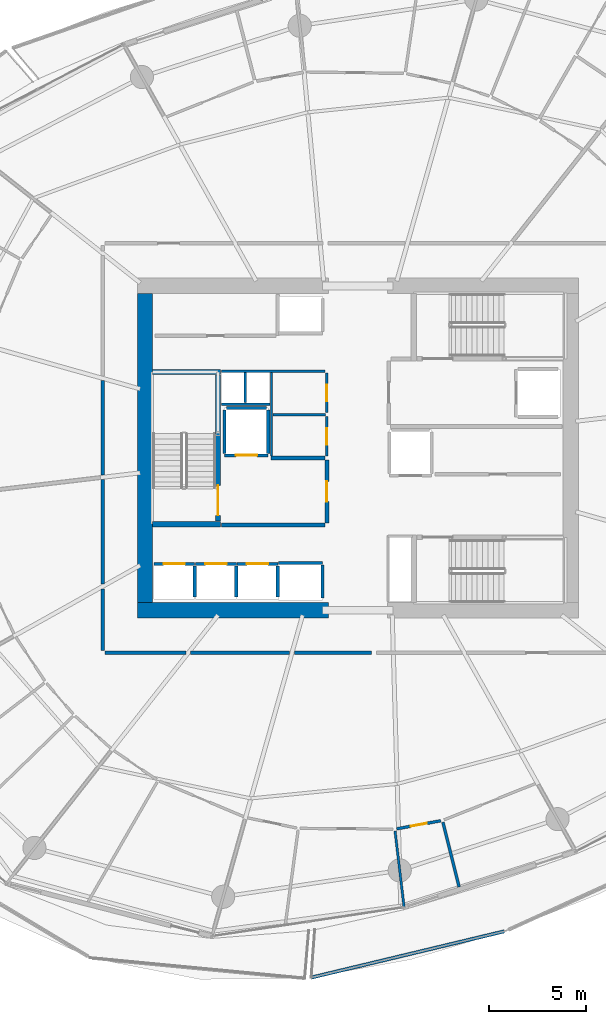
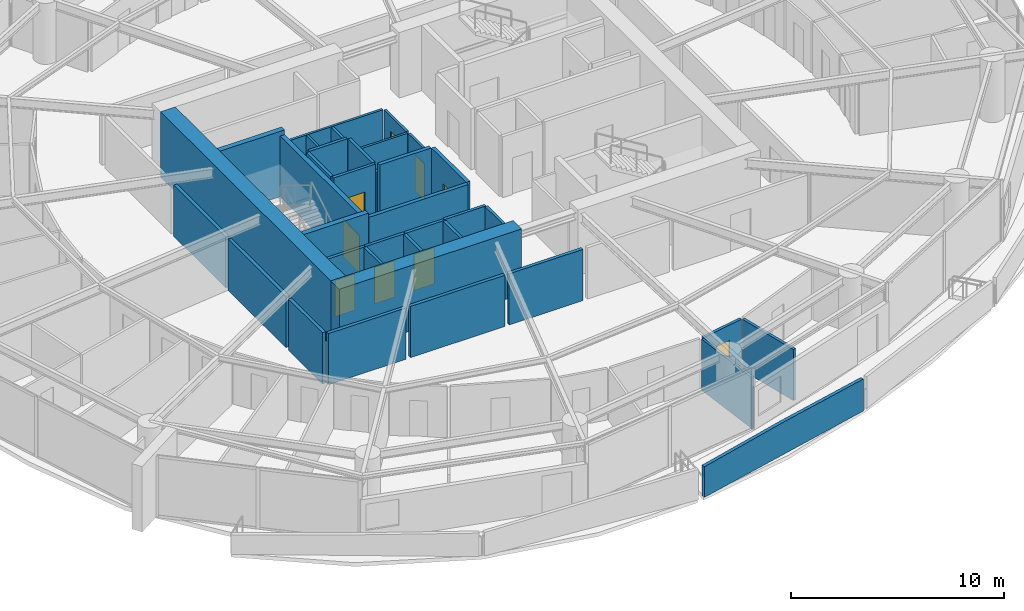
# One storey, part 12 of 23: 37 walls, 9 doors, 9 openings.
"""IFC4 building model written with IfcOpenShell, lengths in metres."""

from ifc_helpers import new_model, si_unit, direction, frame, frame_2d, origin, place, context, subcontext, project, spatial, polyline, rectangle, outline, extrude, material, layer, layer_set, type_object, element, fill, save


model = new_model("IFC4")

# Units and contexts
model_context = context("Model", 3, precision=1e-05, world=origin(), true_north=direction((0.0, 1.0)))
body_context = subcontext(model_context, "Body", "Model", "MODEL_VIEW")
ifc_project = project(units=[si_unit("LENGTHUNIT", "METRE"), si_unit("AREAUNIT", "SQUARE_METRE"), si_unit("VOLUMEUNIT", "CUBIC_METRE"), si_unit("PLANEANGLEUNIT", "RADIAN"), si_unit("MASSUNIT", "GRAM", prefix="KILO")], contexts=[model_context])

# Site, building, storey
site_placement = place(None, origin())
site = spatial("IfcSite", under=ifc_project, at=site_placement, CompositionType="ELEMENT")
building_placement = place(site_placement, origin())
building = spatial("IfcBuilding", under=site, at=building_placement, Name="Kazma Halo Residences", CompositionType="ELEMENT")
storey_placement = place(building_placement, frame((0.0, 0.0, 105.14990234375)))
storey = spatial("IfcBuildingStorey", under=building, at=storey_placement, Name="L26", CompositionType="ELEMENT", Elevation=105.14990234375)

# Walls
ifc_material_1 = material(Name="White Concrete C50/60 Balustrade", Category="concrete")
ifc_layer_1 = layer(ifc_material_1, 0.179931640625)
ifc_layer_set_1 = layer_set([ifc_layer_1], Name="White Concrete C50/60 Balustrade")
wall_type_1 = type_object("IfcWallType", Name="WL-BAL-WAVE-180", PredefinedType="PARAPET", material=ifc_layer_set_1)
wall_1_placement = place(storey_placement, frame((46.010498046875, 14.581298828125, 0.0), z_axis=(0.0, 0.0, 1.0), x_axis=(0.972484896486, 0.232965933359, 0.0)))
element("IfcWall", 1, at=wall_1_placement, inside=storey, type_object=wall_type_1, Name="L26 white wave balustrade wall SSE.1", PredefinedType="PARAPET", context=body_context, shape_type="SweptSolid", body=[
    extrude(outline(polyline([(0.0, 0.0), (10.27734375, 0.0), (10.27734375, 1.83203125), (5.138671875, 1.85302734375), (0.0, 1.756103515625), (0.0, 0.0)])), frame((0.0, 0.08984375, 0.0), z_axis=(0.0, -1.0, 0.0), x_axis=(1.0, 0.0, 0.0)), (0.0, 0.0, 1.0), 0.179931640625),
])
ifc_material_2 = material(Name="Concrete C80/95", Category="concrete")
ifc_layer_2 = layer(ifc_material_2, 0.800048828125)
ifc_layer_set_2 = layer_set([ifc_layer_2], Name="Concrete C80/95")
wall_type_2 = type_object("IfcWallType", Name="WL-CORE-800", PredefinedType="SHEAR", material=ifc_layer_set_2)
wall_2_placement = place(storey_placement, frame((37.0, 33.60009765625, 0.0), z_axis=(0.0, 0.0, 1.0), x_axis=(1.0, 0.0, 0.0)))
element("IfcWall", 2, at=wall_2_placement, inside=storey, type_object=wall_type_2, Name="L26 central core shear wall SW", PredefinedType="SHEAR", context=body_context, shape_type="SweptSolid", body=[
    extrude(rectangle(XDim=9.89990234375, YDim=0.800048828125, at=frame_2d((4.949951171875, 0.0))), origin(), (0.0, 0.0, 1.0), 3.75),
])
wall_3_placement = place(storey_placement, frame((37.39990234375, 34.0, 0.0), z_axis=(0.0, 0.0, 1.0), x_axis=(0.0, 1.0, 0.0)))
element("IfcWall", 3, at=wall_3_placement, inside=storey, type_object=wall_type_2, Name="L26 central core shear wall W", PredefinedType="SHEAR", context=body_context, shape_type="SweptSolid", body=[
    extrude(rectangle(XDim=16.0, YDim=0.800048828125, at=frame_2d((8.0, 0.0))), origin(), (0.0, 0.0, 1.0), 3.75),
])
ifc_material_3 = material(Name="Concrete C60/75", Category="concrete")
ifc_layer_3 = layer(ifc_material_3, 0.280029296875)
ifc_layer_set_3 = layer_set([ifc_layer_3], Name="Concrete C60/75")
wall_type_3 = type_object("IfcWallType", Name="WL-CORE-ST-280", PredefinedType="SHEAR", material=ifc_layer_set_3)
for number, where, z_axis, x_axis, name in (
    (4, (37.800048828125, 38.06005859375, 0.0), (0.0, 0.0, 1.0), (1.0, 0.0, 0.0), "L26 stairwell bearing wall ST01-S"),
    (5, (37.800048828125, 45.93994140625, 0.0), (0.0, 0.0, 1.0), (1.0, 0.0, 0.0), "L26 stairwell bearing wall ST01-N"),
):
    element("IfcWall", number, at=place(storey_placement, frame(where, z_axis=z_axis, x_axis=x_axis)), inside=storey, type_object=wall_type_3, Name=name, PredefinedType="SHEAR", context=body_context, shape_type="SweptSolid", body=[
        extrude(rectangle(XDim=3.5, YDim=0.280029296875, at=frame_2d((1.75, 0.0))), origin(), (0.0, 0.0, 1.0), 3.75),
    ])
ifc_material_4 = material(Name="Acoustic Twin-Stud Gypsum")
ifc_layer_4 = layer(ifc_material_4, 0.179931640625)
ifc_layer_set_4 = layer_set([ifc_layer_4], Name="Acoustic Twin-Stud Gypsum")
wall_type_4 = type_object("IfcWallType", Name="WL-DEM-180", PredefinedType="PARTITIONING", material=ifc_layer_set_4)
wall_4_placement = place(storey_placement, frame((35.199951171875, 45.489990234375, 0.0), z_axis=(0.0, 0.0, 1.0), x_axis=(0.0, -1.0, 0.0)))
element("IfcWall", 6, at=wall_4_placement, inside=storey, type_object=wall_type_4, Name="L26 Apartment 1 inner wall 6", PredefinedType="PARTITIONING", context=body_context, shape_type="SweptSolid", body=[
    extrude(rectangle(XDim=4.885009765625, YDim=0.179931640625, at=frame_2d((2.4423828125, 0.0))), origin(), (0.0, 0.0, 1.0), 2.940185546875),
])
wall_5_placement = place(storey_placement, frame((35.199951171875, 40.364990234375, 0.0), z_axis=(0.0, 0.0, 1.0), x_axis=(0.0, -1.0, 0.0)))
element("IfcWall", 7, at=wall_5_placement, inside=storey, type_object=wall_type_4, Name="L26 Apartment 2 inner wall 7", PredefinedType="PARTITIONING", context=body_context, shape_type="SweptSolid", body=[
    extrude(rectangle(XDim=5.413330078125, YDim=0.179931640625, at=frame_2d((2.70654296875, 0.0))), origin(), (0.0, 0.0, 1.0), 2.940185546875),
])
wall_6_placement = place(storey_placement, frame((35.199951171875, 34.711669921875, 0.0), z_axis=(0.0, 0.0, 1.0), x_axis=(0.0, -1.0, 0.0)))
element("IfcWall", 8, at=wall_6_placement, inside=storey, type_object=wall_type_4, Name="L26 Apartment 2 inner wall 8", PredefinedType="PARTITIONING", context=body_context, shape_type="SweptSolid", body=[
    extrude(rectangle(XDim=3.191650390625, YDim=0.179931640625, at=frame_2d((1.595703125, 0.0))), origin(), (0.0, 0.0, 1.0), 2.940185546875),
])
wall_7_placement = place(storey_placement, frame((35.320068359375, 31.39990234375, 0.0), z_axis=(0.0, 0.0, 1.0), x_axis=(1.0, 0.0, 0.0)))
element("IfcWall", 9, at=wall_7_placement, inside=storey, type_object=wall_type_4, Name="L26 Apartment 2 inner wall 8", PredefinedType="PARTITIONING", context=body_context, shape_type="SweptSolid", body=[
    extrude(rectangle(XDim=4.20361328125, YDim=0.179931640625, at=frame_2d((2.101806640625, 0.0))), origin(), (0.0, 0.0, 1.0), 2.940185546875),
])
wall_8_placement = place(storey_placement, frame((39.763671875, 31.39990234375, 0.0), z_axis=(0.0, 0.0, 1.0), x_axis=(1.0, 0.0, 0.0)))
element("IfcWall", 10, at=wall_8_placement, inside=storey, type_object=wall_type_4, Name="L26 Apartment 2 inner wall 9", PredefinedType="PARTITIONING", context=body_context, shape_type="SweptSolid", body=[
    extrude(rectangle(XDim=5.126708984375, YDim=0.179931640625, at=frame_2d((2.5634765625, 0.0))), origin(), (0.0, 0.0, 1.0), 2.940185546875),
])
wall_9_placement = place(storey_placement, frame((45.130615234375, 31.39990234375, 0.0), z_axis=(0.0, 0.0, 1.0), x_axis=(1.0, 0.0, 0.0)))
element("IfcWall", 11, at=wall_9_placement, inside=storey, type_object=wall_type_4, Name="L26 Apartment 2 inner wall 10", PredefinedType="PARTITIONING", context=body_context, shape_type="SweptSolid", body=[
    extrude(rectangle(XDim=4.00390625, YDim=0.179931640625, at=frame_2d((2.001953125, 0.0))), origin(), (0.0, 0.0, 1.0), 2.940185546875),
])

# Wall, opening, door
ifc_material_5 = material(Name="Fire-Rated Blockwork Masonry", Category="masonry")
ifc_layer_5 = layer(ifc_material_5, 0.199951171875)
ifc_layer_set_5 = layer_set([ifc_layer_5], Name="Fire-Rated Blockwork Masonry")
wall_type_5 = type_object("IfcWallType", Name="WL-FLB-200", PredefinedType="PARTITIONING", material=ifc_layer_set_5)
wall_10_placement = place(storey_placement, frame((37.864990234375, 36.0048828125, 0.0), z_axis=(0.0, 0.0, 1.0), x_axis=(1.0, 0.0, 0.0)))
wall_10 = element("IfcWall", 12, at=wall_10_placement, inside=storey, type_object=wall_type_5, Name="L26 lift shaft PL-01 front wall", PredefinedType="PARTITIONING", context=body_context, shape_type="SweptSolid", body=[
    extrude(rectangle(XDim=2.110107421875, YDim=0.159912109375, at=frame_2d((1.05517578125, 0.0))), origin(), (0.0, 0.0, 1.0), 3.5),
])
opening_1_placement = place(wall_10_placement, frame((0.5048828125, 0.0, 0.0)))
opening_1 = element("IfcOpeningElement", 13, at=opening_1_placement, cuts=wall_10, Name="Opening LD-PL-01", PredefinedType="OPENING", context=body_context, shape_type="SweptSolid", body=[
    extrude(rectangle(XDim=1.10009765625, YDim=2.10009765625, at=frame_2d((0.550048828125, 1.050048828125))), frame((0.0, 0.08984375, 0.0), z_axis=(0.0, -1.0, 0.0), x_axis=(1.0, 0.0, 0.0)), (0.0, 0.0, 1.0), 0.179931640625),
])
ifc_material_6 = material(Name="Stainless Steel Fire-Rated", Category="steel")
door_type_1 = type_object("IfcDoorType", Name="DR-LIFT-SLD-1100", OperationType="DOUBLE_DOOR_SLIDING", PredefinedType="DOOR", material=ifc_material_6)
door_1_placement = place(opening_1_placement, origin())
door_1 = element("IfcDoor", 14, at=door_1_placement, inside=storey, type_object=door_type_1, Name="L26 lift PL-01 sliding landing door", OperationType="DOUBLE_DOOR_SLIDING", OverallHeight=2.10009765625, OverallWidth=1.10009765625, PredefinedType="DOOR", context=body_context, shape_type="SweptSolid", body=[
    extrude(rectangle(XDim=1.10009765625, YDim=2.10009765625, at=frame_2d((0.550048828125, 1.050048828125))), frame((0.0, 0.02490234375, 0.0), z_axis=(0.0, -1.0, 0.0), x_axis=(1.0, 0.0, 0.0)), (0.0, 0.0, 1.0), 0.050048828125),
])
fill(opening_1, door_1)

# Wall
wall_11_placement = place(storey_placement, frame((39.97509765625, 34.294921875, 0.0), z_axis=(0.0, 0.0, 1.0), x_axis=(0.0, 1.0, 0.0)))
element("IfcWall", 15, at=wall_11_placement, inside=storey, type_object=wall_type_5, Name="L26 lift shaft PL-01 side wall E", PredefinedType="PARTITIONING", context=body_context, shape_type="SweptSolid", body=[
    extrude(rectangle(XDim=1.610107421875, YDim=0.159912109375, at=frame_2d((0.80517578125, 0.0))), origin(), (0.0, 0.0, 1.0), 3.5),
])

# Wall, opening, door
wall_12_placement = place(storey_placement, frame((40.014892578125, 36.0048828125, 0.0), z_axis=(0.0, 0.0, 1.0), x_axis=(1.0, 0.0, 0.0)))
wall_12 = element("IfcWall", 16, at=wall_12_placement, inside=storey, type_object=wall_type_5, Name="L26 lift shaft PL-02 front wall", PredefinedType="PARTITIONING", context=body_context, shape_type="SweptSolid", body=[
    extrude(rectangle(XDim=2.110107421875, YDim=0.159912109375, at=frame_2d((1.05517578125, 0.0))), origin(), (0.0, 0.0, 1.0), 3.5),
])
opening_2_placement = place(wall_12_placement, frame((0.5048828125, 0.0, 0.0)))
opening_2 = element("IfcOpeningElement", 17, at=opening_2_placement, cuts=wall_12, Name="Opening LD-PL-02", PredefinedType="OPENING", context=body_context, shape_type="SweptSolid", body=[
    extrude(rectangle(XDim=1.10009765625, YDim=2.10009765625, at=frame_2d((0.550048828125, 1.050048828125))), frame((0.0, 0.08984375, 0.0), z_axis=(0.0, -1.0, 0.0), x_axis=(1.0, 0.0, 0.0)), (0.0, 0.0, 1.0), 0.179931640625),
])
door_2_placement = place(opening_2_placement, origin())
door_2 = element("IfcDoor", 18, at=door_2_placement, inside=storey, type_object=door_type_1, Name="L26 lift PL-02 sliding landing door", OperationType="DOUBLE_DOOR_SLIDING", OverallHeight=2.10009765625, OverallWidth=1.10009765625, PredefinedType="DOOR", context=body_context, shape_type="SweptSolid", body=[
    extrude(rectangle(XDim=1.10009765625, YDim=2.10009765625, at=frame_2d((0.550048828125, 1.050048828125))), frame((0.0, 0.02490234375, 0.0), z_axis=(0.0, -1.0, 0.0), x_axis=(1.0, 0.0, 0.0)), (0.0, 0.0, 1.0), 0.050048828125),
])
fill(opening_2, door_2)

# Wall
wall_13_placement = place(storey_placement, frame((42.125, 34.294921875, 0.0), z_axis=(0.0, 0.0, 1.0), x_axis=(0.0, 1.0, 0.0)))
element("IfcWall", 19, at=wall_13_placement, inside=storey, type_object=wall_type_5, Name="L26 lift shaft PL-02 side wall E", PredefinedType="PARTITIONING", context=body_context, shape_type="SweptSolid", body=[
    extrude(rectangle(XDim=1.610107421875, YDim=0.159912109375, at=frame_2d((0.80517578125, 0.0))), origin(), (0.0, 0.0, 1.0), 3.5),
])

# Wall, opening, door
wall_14_placement = place(storey_placement, frame((42.1650390625, 36.0048828125, 0.0), z_axis=(0.0, 0.0, 1.0), x_axis=(1.0, 0.0, 0.0)))
wall_14 = element("IfcWall", 20, at=wall_14_placement, inside=storey, type_object=wall_type_5, Name="L26 lift shaft PL-03 front wall", PredefinedType="PARTITIONING", context=body_context, shape_type="SweptSolid", body=[
    extrude(rectangle(XDim=2.10986328125, YDim=0.159912109375, at=frame_2d((1.054931640625, 0.0))), origin(), (0.0, 0.0, 1.0), 3.5),
])
opening_3_placement = place(wall_14_placement, frame((0.5048828125, 0.0, 0.0)))
opening_3 = element("IfcOpeningElement", 21, at=opening_3_placement, cuts=wall_14, Name="Opening LD-PL-03", PredefinedType="OPENING", context=body_context, shape_type="SweptSolid", body=[
    extrude(rectangle(XDim=1.10009765625, YDim=2.10009765625, at=frame_2d((0.550048828125, 1.050048828125))), frame((0.0, 0.08984375, 0.0), z_axis=(0.0, -1.0, 0.0), x_axis=(1.0, 0.0, 0.0)), (0.0, 0.0, 1.0), 0.179931640625),
])
door_3_placement = place(opening_3_placement, origin())
door_3 = element("IfcDoor", 22, at=door_3_placement, inside=storey, type_object=door_type_1, Name="L26 lift PL-03 sliding landing door", OperationType="DOUBLE_DOOR_SLIDING", OverallHeight=2.10009765625, OverallWidth=1.10009765625, PredefinedType="DOOR", context=body_context, shape_type="SweptSolid", body=[
    extrude(rectangle(XDim=1.10009765625, YDim=2.10009765625, at=frame_2d((0.550048828125, 1.050048828125))), frame((0.0, 0.02490234375, 0.0), z_axis=(0.0, -1.0, 0.0), x_axis=(1.0, 0.0, 0.0)), (0.0, 0.0, 1.0), 0.050048828125),
])
fill(opening_3, door_3)

# Walls
wall_15_placement = place(storey_placement, frame((44.27490234375, 34.294921875, 0.0), z_axis=(0.0, 0.0, 1.0), x_axis=(0.0, 1.0, 0.0)))
element("IfcWall", 23, at=wall_15_placement, inside=storey, type_object=wall_type_5, Name="L26 lift shaft PL-03 side wall E", PredefinedType="PARTITIONING", context=body_context, shape_type="SweptSolid", body=[
    extrude(rectangle(XDim=1.610107421875, YDim=0.159912109375, at=frame_2d((0.80517578125, 0.0))), origin(), (0.0, 0.0, 1.0), 3.5),
])
wall_16_placement = place(storey_placement, frame((44.320068359375, 36.054931640625, 0.0), z_axis=(0.0, 0.0, 1.0), x_axis=(1.0, 0.0, 0.0)))
element("IfcWall", 24, at=wall_16_placement, inside=storey, type_object=wall_type_5, Name="L26 lift shaft PX-02 front wall", PredefinedType="PARTITIONING", context=body_context, shape_type="SweptSolid", body=[
    extrude(rectangle(XDim=2.260009765625, YDim=0.159912109375, at=frame_2d((1.1298828125, 0.0))), origin(), (0.0, 0.0, 1.0), 3.5),
])
wall_17_placement = place(storey_placement, frame((46.580078125, 34.2451171875, 0.0), z_axis=(0.0, 0.0, 1.0), x_axis=(0.0, 1.0, 0.0)))
element("IfcWall", 25, at=wall_17_placement, inside=storey, type_object=wall_type_5, Name="L26 lift shaft PX-02 side wall E", PredefinedType="PARTITIONING", context=body_context, shape_type="SweptSolid", body=[
    extrude(rectangle(XDim=1.7099609375, YDim=0.159912109375, at=frame_2d((0.85498046875, 0.0))), origin(), (0.0, 0.0, 1.0), 3.5),
])

# Wall, opening, door
wall_18_placement = place(storey_placement, frame((43.780029296875, 41.6201171875, 0.0), z_axis=(0.0, 0.0, 1.0), x_axis=(-1.0, 0.0, 0.0)))
wall_18 = element("IfcWall", 26, at=wall_18_placement, inside=storey, type_object=wall_type_5, Name="L26 lift shaft FL-01 front wall", PredefinedType="PARTITIONING", context=body_context, shape_type="SweptSolid", body=[
    extrude(rectangle(XDim=2.260009765625, YDim=0.159912109375, at=frame_2d((1.1298828125, 0.0))), origin(), (0.0, 0.0, 1.0), 3.5),
])
opening_4_placement = place(wall_18_placement, frame((0.580078125, 0.0, 0.0)))
opening_4 = element("IfcOpeningElement", 27, at=opening_4_placement, cuts=wall_18, Name="Opening LD-FL-01", PredefinedType="OPENING", context=body_context, shape_type="SweptSolid", body=[
    extrude(rectangle(XDim=1.10009765625, YDim=2.10009765625, at=frame_2d((0.550048828125, 1.050048828125))), frame((0.0, 0.08984375, 0.0), z_axis=(0.0, -1.0, 0.0), x_axis=(1.0, 0.0, 0.0)), (0.0, 0.0, 1.0), 0.179931640625),
])
door_4_placement = place(opening_4_placement, origin())
door_4 = element("IfcDoor", 28, at=door_4_placement, inside=storey, type_object=door_type_1, Name="L26 lift FL-01 sliding landing door", OperationType="DOUBLE_DOOR_SLIDING", OverallHeight=2.10009765625, OverallWidth=1.10009765625, PredefinedType="DOOR", context=body_context, shape_type="SweptSolid", body=[
    extrude(rectangle(XDim=1.10009765625, YDim=2.10009765625, at=frame_2d((0.550048828125, 1.050048828125))), frame((0.0, 0.02490234375, 0.0), z_axis=(0.0, -1.0, 0.0), x_axis=(1.0, 0.0, 0.0)), (0.0, 0.0, 1.0), 0.050048828125),
])
fill(opening_4, door_4)

# Walls
for number, where, z_axis, x_axis, name in (
    (29, (43.780029296875, 41.719970703125, 0.0), (0.0, 0.0, 1.0), (0.0, 1.0, 0.0), "L26 lift shaft FL-01 side wall E"),
    (30, (41.52001953125, 41.719970703125, 0.0), (0.0, 0.0, 1.0), (0.0, 1.0, 0.0), "L26 lift shaft FL-01 side wall W"),
):
    element("IfcWall", number, at=place(storey_placement, frame(where, z_axis=z_axis, x_axis=x_axis)), inside=storey, type_object=wall_type_5, Name=name, PredefinedType="PARTITIONING", context=body_context, shape_type="SweptSolid", body=[
        extrude(rectangle(XDim=2.260009765625, YDim=0.159912109375, at=frame_2d((1.1298828125, 0.0))), origin(), (0.0, 0.0, 1.0), 3.5),
    ])
wall_19_placement = place(storey_placement, frame((41.6201171875, 44.080078125, 0.0), z_axis=(0.0, 0.0, 1.0), x_axis=(1.0, 0.0, 0.0)))
element("IfcWall", 31, at=wall_19_placement, inside=storey, type_object=wall_type_5, Name="L26 lift shaft FL-01 side wall N", PredefinedType="PARTITIONING", context=body_context, shape_type="SweptSolid", body=[
    extrude(rectangle(XDim=2.059814453125, YDim=0.159912109375, at=frame_2d((1.02978515625, 0.0))), origin(), (0.0, 0.0, 1.0), 3.5),
])
wall_20_placement = place(storey_placement, frame((41.35009765625, 38.02001953125, 0.0), z_axis=(0.0, 0.0, 1.0), x_axis=(1.0, 0.0, 0.0)))
element("IfcWall", 32, at=wall_20_placement, inside=storey, type_object=wall_type_5, Name="L26 west firefighting lobby south smoke wall", PredefinedType="PARTITIONING", context=body_context, shape_type="SweptSolid", body=[
    extrude(rectangle(XDim=5.369873046875, YDim=0.199951171875, at=frame_2d((2.68505859375, 0.0))), origin(), (0.0, 0.0, 1.0), 3.5),
])
wall_21_placement = place(storey_placement, frame((43.919921875, 41.47998046875, 0.0), z_axis=(0.0, 0.0, 1.0), x_axis=(1.0, 0.0, 0.0)))
element("IfcWall", 33, at=wall_21_placement, inside=storey, type_object=wall_type_5, Name="L26 west firefighting lobby north smoke wall", PredefinedType="PARTITIONING", context=body_context, shape_type="SweptSolid", body=[
    extrude(rectangle(XDim=2.800048828125, YDim=0.199951171875, at=frame_2d((1.39990234375, 0.0))), origin(), (0.0, 0.0, 1.0), 3.5),
])

# Wall, opening, door
wall_22_placement = place(storey_placement, frame((46.820068359375, 38.1201171875, 0.0), z_axis=(0.0, 0.0, 1.0), x_axis=(0.0, 1.0, 0.0)))
wall_22 = element("IfcWall", 34, at=wall_22_placement, inside=storey, type_object=wall_type_5, Name="L26 west firefighting lobby smoke wall", PredefinedType="PARTITIONING", context=body_context, shape_type="SweptSolid", body=[
    extrude(rectangle(XDim=3.259765625, YDim=0.199951171875, at=frame_2d((1.6298828125, 0.0))), origin(), (0.0, 0.0, 1.0), 3.5),
])
opening_5_placement = place(wall_22_placement, frame((1.10498046875, 0.0, 0.0)))
opening_5 = element("IfcOpeningElement", 35, at=opening_5_placement, cuts=wall_22, Name="Opening D-FLW", PredefinedType="OPENING", context=body_context, shape_type="SweptSolid", body=[
    extrude(rectangle(XDim=1.050048828125, YDim=2.10009765625, at=frame_2d((0.52490234375, 1.050048828125))), frame((0.0, 0.10986328125, 0.0), z_axis=(0.0, -1.0, 0.0), x_axis=(1.0, 0.0, 0.0)), (0.0, 0.0, 1.0), 0.219970703125),
])
ifc_material_7 = material(Name="Fire-Rated Steel Leaf", Category="steel")
door_type_2 = type_object("IfcDoorType", Name="DR-FD90-1050", OperationType="NOTDEFINED", PredefinedType="DOOR", material=ifc_material_7)
door_5_placement = place(opening_5_placement, origin())
door_5 = element("IfcDoor", 36, at=door_5_placement, inside=storey, type_object=door_type_2, Name="L26 west firefighting lobby smoke door", OperationType="SINGLE_SWING_LEFT", OverallHeight=2.10009765625, OverallWidth=1.050048828125, PredefinedType="DOOR", context=body_context, shape_type="SweptSolid", body=[
    extrude(rectangle(XDim=1.050048828125, YDim=2.10009765625, at=frame_2d((0.52490234375, 1.050048828125))), frame((0.0, 0.02490234375, 0.0), z_axis=(0.0, -1.0, 0.0), x_axis=(1.0, 0.0, 0.0)), (0.0, 0.0, 1.0), 0.050048828125),
])
fill(opening_5, door_5)

# Walls
ifc_material_8 = material(Name="Gypsum Plasterboard Partition")
ifc_layer_6 = layer(ifc_material_8, 0.125)
ifc_layer_set_6 = layer_set([ifc_layer_6], Name="Gypsum Plasterboard Partition")
wall_type_6 = type_object("IfcWallType", Name="WL-PART-125", PredefinedType="PARTITIONING", material=ifc_layer_set_6)
wall_23_placement = place(storey_placement, frame((41.360107421875, 45.97998046875, 0.0), z_axis=(0.0, 0.0, 1.0), x_axis=(1.0, 0.0, 0.0)))
element("IfcWall", 37, at=wall_23_placement, inside=storey, type_object=wall_type_6, Name="L26 core north riser wall", PredefinedType="PARTITIONING", context=body_context, shape_type="SweptSolid", body=[
    extrude(rectangle(XDim=5.35986328125, YDim=0.125, at=frame_2d((2.679931640625, 0.0))), origin(), (0.0, 0.0, 1.0), 2.940185546875),
])
wall_24_placement = place(storey_placement, frame((41.360107421875, 44.260009765625, 0.0), z_axis=(0.0, 0.0, 1.0), x_axis=(1.0, 0.0, 0.0)))
element("IfcWall", 38, at=wall_24_placement, inside=storey, type_object=wall_type_6, Name="L26 core riser south wall", PredefinedType="PARTITIONING", context=body_context, shape_type="SweptSolid", body=[
    extrude(rectangle(XDim=2.5, YDim=0.125, at=frame_2d((1.25, 0.0))), origin(), (0.0, 0.0, 1.0), 2.940185546875),
])
wall_25_placement = place(storey_placement, frame((42.60009765625, 44.35009765625, 0.0), z_axis=(0.0, 0.0, 1.0), x_axis=(0.0, 1.0, 0.0)))
element("IfcWall", 39, at=wall_25_placement, inside=storey, type_object=wall_type_6, Name="L26 core riser divider wall", PredefinedType="PARTITIONING", context=body_context, shape_type="SweptSolid", body=[
    extrude(rectangle(XDim=1.5498046875, YDim=0.125, at=frame_2d((0.77490234375, 0.0))), origin(), (0.0, 0.0, 1.0), 2.940185546875),
])
wall_26_placement = place(storey_placement, frame((43.949951171875, 41.580078125, 0.0), z_axis=(0.0, 0.0, 1.0), x_axis=(0.0, 1.0, 0.0)))
element("IfcWall", 40, at=wall_26_placement, inside=storey, type_object=wall_type_6, Name="L26 core service west wall", PredefinedType="PARTITIONING", context=body_context, shape_type="SweptSolid", body=[
    extrude(rectangle(XDim=4.31982421875, YDim=0.125, at=frame_2d((2.159912109375, 0.0))), origin(), (0.0, 0.0, 1.0), 2.940185546875),
])
wall_27_placement = place(storey_placement, frame((44.030029296875, 43.72998046875, 0.0), z_axis=(0.0, 0.0, 1.0), x_axis=(1.0, 0.0, 0.0)))
element("IfcWall", 41, at=wall_27_placement, inside=storey, type_object=wall_type_6, Name="L26 switch/IDF divider", PredefinedType="PARTITIONING", context=body_context, shape_type="SweptSolid", body=[
    extrude(rectangle(XDim=2.7099609375, YDim=0.125, at=frame_2d((1.35498046875, 0.0))), origin(), (0.0, 0.0, 1.0), 2.940185546875),
])

# Wall, opening, door
wall_28_placement = place(storey_placement, frame((46.820068359375, 41.580078125, 0.0), z_axis=(0.0, 0.0, 1.0), x_axis=(0.0, 1.0, 0.0)))
wall_28 = element("IfcWall", 42, at=wall_28_placement, inside=storey, type_object=wall_type_6, Name="L26 electrical switch room east wall", PredefinedType="PARTITIONING", context=body_context, shape_type="SweptSolid", body=[
    extrude(rectangle(XDim=2.0498046875, YDim=0.125, at=frame_2d((1.02490234375, 0.0))), origin(), (0.0, 0.0, 1.0), 2.940185546875),
])
opening_6_placement = place(wall_28_placement, frame((0.60009765625, 0.0, 0.0)))
opening_6 = element("IfcOpeningElement", 43, at=opening_6_placement, cuts=wall_28, Name="Opening DS-850", PredefinedType="OPENING", context=body_context, shape_type="SweptSolid", body=[
    extrude(rectangle(XDim=0.85009765625, YDim=2.06005859375, at=frame_2d((0.425048828125, 1.030029296875))), frame((0.0, 0.072509765625, 0.0), z_axis=(0.0, -1.0, 0.0), x_axis=(1.0, 0.0, 0.0)), (0.0, 0.0, 1.0), 0.14501953125),
])
ifc_material_9 = material(Name="Painted Steel Access Leaf", Category="steel")
door_type_3 = type_object("IfcDoorType", Name="DR-SVC-850", OperationType="NOTDEFINED", PredefinedType="DOOR", material=ifc_material_9)
door_6_placement = place(opening_6_placement, origin())
door_6 = element("IfcDoor", 44, at=door_6_placement, inside=storey, type_object=door_type_3, Name="L26 electrical switch room door", OperationType="SINGLE_SWING_LEFT", OverallHeight=2.06005859375, OverallWidth=0.85009765625, PredefinedType="DOOR", context=body_context, shape_type="SweptSolid", body=[
    extrude(rectangle(XDim=0.85009765625, YDim=2.06005859375, at=frame_2d((0.425048828125, 1.030029296875))), frame((0.0, 0.02490234375, 0.0), z_axis=(0.0, -1.0, 0.0), x_axis=(1.0, 0.0, 0.0)), (0.0, 0.0, 1.0), 0.050048828125),
])
fill(opening_6, door_6)

wall_29_placement = place(storey_placement, frame((46.820068359375, 43.830078125, 0.0), z_axis=(0.0, 0.0, 1.0), x_axis=(0.0, 1.0, 0.0)))
wall_29 = element("IfcWall", 45, at=wall_29_placement, inside=storey, type_object=wall_type_6, Name="L26 telecom IDF room east wall", PredefinedType="PARTITIONING", context=body_context, shape_type="SweptSolid", body=[
    extrude(rectangle(XDim=2.0498046875, YDim=0.125, at=frame_2d((1.02490234375, 0.0))), origin(), (0.0, 0.0, 1.0), 2.940185546875),
])
opening_7_placement = place(wall_29_placement, frame((0.60009765625, 0.0, 0.0)))
opening_7 = element("IfcOpeningElement", 46, at=opening_7_placement, cuts=wall_29, Name="Opening DS-850", PredefinedType="OPENING", context=body_context, shape_type="SweptSolid", body=[
    extrude(rectangle(XDim=0.85009765625, YDim=2.06005859375, at=frame_2d((0.425048828125, 1.030029296875))), frame((0.0, 0.072509765625, 0.0), z_axis=(0.0, -1.0, 0.0), x_axis=(1.0, 0.0, 0.0)), (0.0, 0.0, 1.0), 0.14501953125),
])
door_7_placement = place(opening_7_placement, origin())
door_7 = element("IfcDoor", 47, at=door_7_placement, inside=storey, type_object=door_type_3, Name="L26 telecom IDF room door", OperationType="SINGLE_SWING_RIGHT", OverallHeight=2.06005859375, OverallWidth=0.85009765625, PredefinedType="DOOR", context=body_context, shape_type="SweptSolid", body=[
    extrude(rectangle(XDim=0.85009765625, YDim=2.06005859375, at=frame_2d((0.425048828125, 1.030029296875))), frame((0.0, 0.02490234375, 0.0), z_axis=(0.0, -1.0, 0.0), x_axis=(1.0, 0.0, 0.0)), (0.0, 0.0, 1.0), 0.050048828125),
])
fill(opening_7, door_7)

# Wall
wall_30_placement = place(storey_placement, frame((50.347412109375, 22.16650390625, 0.0), z_axis=(0.0, 0.0, 1.0), x_axis=(0.117544011215, -0.993067674143, 0.0)))
element("IfcWall", 48, at=wall_30_placement, inside=storey, type_object=wall_type_6, Name="L26 Apartment 2 radial partition 11", PredefinedType="PARTITIONING", context=body_context, shape_type="SweptSolid", body=[
    extrude(rectangle(XDim=3.950439453125, YDim=0.125, at=frame_2d((1.97509765625, 0.0))), origin(), (0.0, 0.0, 1.0), 2.940185546875),
])

# Wall, opening, door
ifc_material_10 = material(Name="Concrete C50/60", Category="concrete")
ifc_layer_7 = layer(ifc_material_10, 0.25)
ifc_layer_set_7 = layer_set([ifc_layer_7], Name="Concrete C50/60")
wall_type_7 = type_object("IfcWallType", Name="WL-SHF-250", PredefinedType="SOLIDWALL", material=ifc_layer_set_7)
wall_31_placement = place(storey_placement, frame((41.179931640625, 38.219970703125, 0.0), z_axis=(0.0, 0.0, 1.0), x_axis=(0.0, 1.0, 0.0)))
wall_31 = element("IfcWall", 49, at=wall_31_placement, inside=storey, type_object=wall_type_7, Name="L26 exit stair ST-01 enclosure wall", PredefinedType="SOLIDWALL", context=body_context, shape_type="SweptSolid", body=[
    extrude(rectangle(XDim=7.56005859375, YDim=0.25, at=frame_2d((3.780029296875, 0.0))), origin(), (0.0, 0.0, 1.0), 3.5),
])
opening_8_placement = place(wall_31_placement, frame((0.300048828125, 0.0, 0.0)))
opening_8 = element("IfcOpeningElement", 50, at=opening_8_placement, cuts=wall_31, Name="Opening D-ST1", PredefinedType="OPENING", context=body_context, shape_type="SweptSolid", body=[
    extrude(rectangle(XDim=1.550048828125, YDim=2.14990234375, at=frame_2d((0.77490234375, 1.074951171875))), frame((0.0, 0.135009765625, 0.0), z_axis=(0.0, -1.0, 0.0), x_axis=(1.0, 0.0, 0.0)), (0.0, 0.0, 1.0), 0.27001953125),
])
ifc_material_11 = material(Name="Fire-Rated Double Steel Leaf", Category="steel")
door_type_4 = type_object("IfcDoorType", Name="DR-FD90-1550", OperationType="NOTDEFINED", PredefinedType="DOOR", material=ifc_material_11)
door_8_placement = place(opening_8_placement, origin())
door_8 = element("IfcDoor", 51, at=door_8_placement, inside=storey, type_object=door_type_4, Name="L26 exit stair ST-01 fire door", OperationType="DOUBLE_DOOR_SINGLE_SWING", OverallHeight=2.14990234375, OverallWidth=1.550048828125, PredefinedType="DOOR", context=body_context, shape_type="SweptSolid", body=[
    extrude(rectangle(XDim=1.550048828125, YDim=2.14990234375, at=frame_2d((0.77490234375, 1.074951171875))), frame((0.0, 0.02490234375, 0.0), z_axis=(0.0, -1.0, 0.0), x_axis=(1.0, 0.0, 0.0)), (0.0, 0.0, 1.0), 0.050048828125),
])
fill(opening_8, door_8)

ifc_material_12 = material(Name="Moisture-Resistant Gypsum")
ifc_layer_8 = layer(ifc_material_12, 0.14990234375)
ifc_layer_set_8 = layer_set([ifc_layer_8], Name="Moisture-Resistant Gypsum")
wall_type_8 = type_object("IfcWallType", Name="WL-WET-150", PredefinedType="PARTITIONING", material=ifc_layer_set_8)
wall_32_placement = place(storey_placement, frame((50.43408203125, 22.28369140625, 0.0), z_axis=(0.0, 0.0, 1.0), x_axis=(0.983653785842, 0.18007006858, 0.0)))
wall_32 = element("IfcWall", 52, at=wall_32_placement, inside=storey, type_object=wall_type_8, Name="L26 Apartment 2 Outer En-Suite Bathroom hall wall", PredefinedType="PARTITIONING", context=body_context, shape_type="SweptSolid", body=[
    extrude(rectangle(XDim=2.321044921875, YDim=0.14990234375, at=frame_2d((1.16064453125, 0.0))), origin(), (0.0, 0.0, 1.0), 2.940185546875),
])
opening_9_placement = place(wall_32_placement, frame((0.735595703125, 0.0, 0.0)))
opening_9 = element("IfcOpeningElement", 53, at=opening_9_placement, cuts=wall_32, Name="Opening DB-900", PredefinedType="OPENING", context=body_context, shape_type="SweptSolid", body=[
    extrude(rectangle(XDim=0.85009765625, YDim=2.06005859375, at=frame_2d((0.425048828125, 1.030029296875))), frame((0.0, 0.0849609375, 0.0), z_axis=(0.0, -1.0, 0.0), x_axis=(1.0, 0.0, 0.0)), (0.0, 0.0, 1.0), 0.169921875),
])
ifc_material_13 = material(Name="Moisture-Sealed Timber Leaf", Category="wood")
door_type_5 = type_object("IfcDoorType", Name="DR-BTH-900", OperationType="NOTDEFINED", PredefinedType="DOOR", material=ifc_material_13)
door_9_placement = place(opening_9_placement, origin())
door_9 = element("IfcDoor", 54, at=door_9_placement, inside=storey, type_object=door_type_5, Name="L26 Apartment 2 Outer En-Suite Bathroom door", OperationType="SINGLE_SWING_RIGHT", OverallHeight=2.06005859375, OverallWidth=0.85009765625, PredefinedType="DOOR", context=body_context, shape_type="SweptSolid", body=[
    extrude(rectangle(XDim=0.85009765625, YDim=2.06005859375, at=frame_2d((0.425048828125, 1.030029296875))), frame((0.0, 0.02490234375, 0.0), z_axis=(0.0, -1.0, 0.0), x_axis=(1.0, 0.0, 0.0)), (0.0, 0.0, 1.0), 0.050048828125),
])
fill(opening_9, door_9)

# Wall
wall_33_placement = place(storey_placement, frame((52.82763671875, 22.630615234375, 0.0), z_axis=(0.0, 0.0, 1.0), x_axis=(0.241821205531, -0.970320825581, 0.0)))
element("IfcWall", 55, at=wall_33_placement, inside=storey, type_object=wall_type_8, Name="L26 Apartment 2 Outer En-Suite Bathroom side wall", PredefinedType="PARTITIONING", context=body_context, shape_type="SweptSolid", body=[
    extrude(rectangle(XDim=3.457763671875, YDim=0.14990234375, at=frame_2d((1.72900390625, 0.0))), origin(), (0.0, 0.0, 1.0), 2.940185546875),
])

save(model, "model.ifc")
